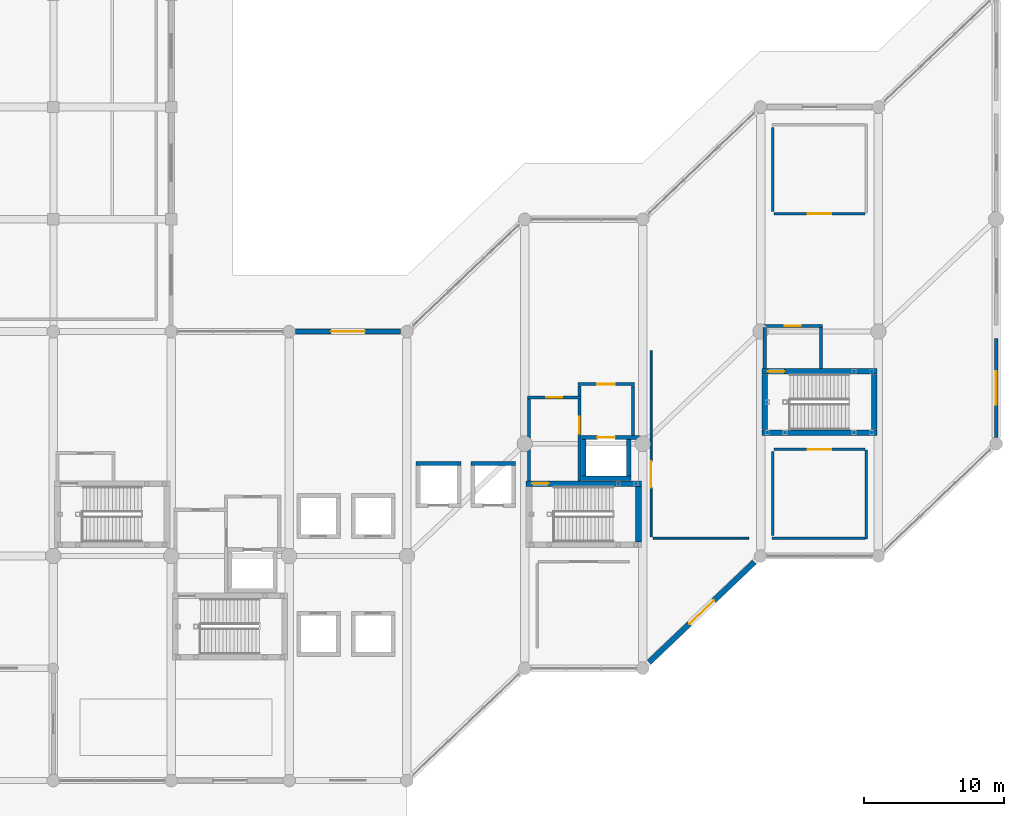
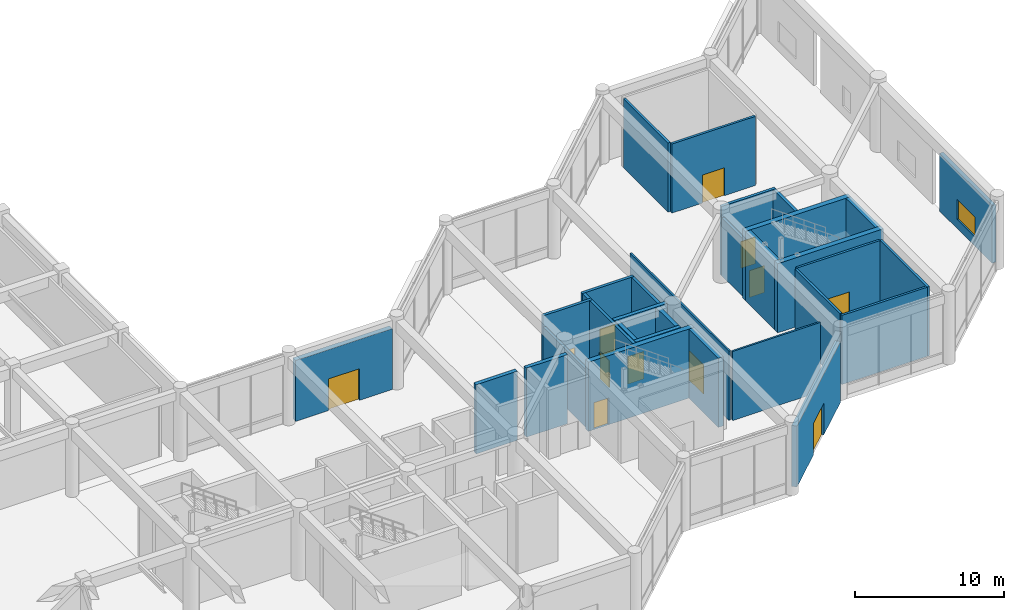
# One storey, part 59 of 76: 32 walls, 12 doors, 1 window, 13 openings.
"""IFC4 building model written with IfcOpenShell, lengths in metres."""

from ifc_helpers import new_model, si_unit, direction, frame, frame_2d, origin, place, context, subcontext, project, spatial, rectangle, extrude, material, layer, layer_set, type_object, element, fill, save


model = new_model("IFC4")

# Units and contexts
model_context = context("Model", 3, precision=1e-05, world=origin(), true_north=direction((0.0, 1.0)))
body_context = subcontext(model_context, "Body", "Model", "MODEL_VIEW")
ifc_project = project(units=[si_unit("LENGTHUNIT", "METRE"), si_unit("AREAUNIT", "SQUARE_METRE"), si_unit("VOLUMEUNIT", "CUBIC_METRE"), si_unit("PLANEANGLEUNIT", "RADIAN"), si_unit("MASSUNIT", "GRAM", prefix="KILO")], contexts=[model_context])

# Site, building, storey
site_placement = place(None, origin())
site = spatial("IfcSite", under=ifc_project, at=site_placement, CompositionType="ELEMENT")
building_placement = place(site_placement, origin())
building = spatial("IfcBuilding", under=site, at=building_placement, Name="Naruveol Harbour Congress Hotel", CompositionType="ELEMENT")
storey_placement = place(building_placement, origin())
storey = spatial("IfcBuildingStorey", under=building, at=storey_placement, Name="L00", CompositionType="ELEMENT", Elevation=0.0)

# Wall, opening, door
ifc_material_1 = material(Name="Autoclaved Aerated Concrete Block", Category="concrete")
ifc_layer_1 = layer(ifc_material_1, 0.179931640625)
ifc_layer_set_1 = layer_set([ifc_layer_1], Name="Autoclaved Aerated Concrete Block")
wall_type_1 = type_object("IfcWallType", Name="ACOUSTIC HALL PARTITION WALL 180 EI60", PredefinedType="PARTITIONING", material=ifc_layer_set_1)
wall_1_placement = place(storey_placement, frame((168.9599609375, 23.60009765625, 0.0), z_axis=(0.0, 0.0, 1.0), x_axis=(1.0, 0.0, 0.0)))
wall_1 = element("IfcWall", 1, at=wall_1_placement, inside=storey, type_object=wall_type_1, Name="Hotel Concierge and Luggage Suite north entry wall PW-180", PredefinedType="PARTITIONING", context=body_context, shape_type="SweptSolid", body=[
    extrude(rectangle(XDim=6.47998046875, YDim=0.179931640625, at=frame_2d((3.239990234375, 0.0))), origin(), (0.0, 0.0, 1.0), 5.675048828125),
])
opening_1_placement = place(wall_1_placement, frame((2.389892578125, 0.0, 0.0)))
opening_1 = element("IfcOpeningElement", 2, at=opening_1_placement, cuts=wall_1, Name="Opening ID-MT-33", PredefinedType="OPENING", context=body_context, shape_type="SweptSolid", body=[
    extrude(rectangle(XDim=1.699951171875, YDim=2.300048828125, at=frame_2d((0.85009765625, 1.14990234375))), frame((0.0, 0.099853515625, 0.0), z_axis=(0.0, -1.0, 0.0), x_axis=(1.0, 0.0, 0.0)), (0.0, 0.0, 1.0), 0.199951171875),
])
ifc_material_2 = material(Name="Timber & Steel Acoustic Leaf", Category="steel")
door_type_1 = type_object("IfcDoorType", Name="MEETING SALON DOUBLE DOOR 1700X2300", OperationType="DOUBLE_DOOR_SINGLE_SWING", PredefinedType="DOOR", material=ifc_material_2)
door_1_placement = place(opening_1_placement, origin())
door_1 = element("IfcDoor", 3, at=door_1_placement, inside=storey, type_object=door_type_1, Name="Hotel Concierge and Luggage Suite Entrance Door", OperationType="DOUBLE_DOOR_SINGLE_SWING", OverallHeight=2.300048828125, OverallWidth=1.699951171875, PredefinedType="DOOR", context=body_context, shape_type="SweptSolid", body=[
    extrude(rectangle(XDim=1.699951171875, YDim=2.300048828125, at=frame_2d((0.85009765625, 1.14990234375))), frame((0.0, 0.02490234375, 0.0), z_axis=(0.0, -1.0, 0.0), x_axis=(1.0, 0.0, 0.0)), (0.0, 0.0, 1.0), 0.050048828125),
])
fill(opening_1, door_1)

# Wall
wall_2_placement = place(storey_placement, frame((168.8798828125, 17.449951171875, 0.0), z_axis=(0.0, 0.0, 1.0), x_axis=(0.0, 1.0, 0.0)))
element("IfcWall", 4, at=wall_2_placement, inside=storey, type_object=wall_type_1, Name="Hotel Concierge and Luggage Suite west partition PW-180", PredefinedType="PARTITIONING", context=body_context, shape_type="SweptSolid", body=[
    extrude(rectangle(XDim=6.010009765625, YDim=0.179931640625, at=frame_2d((3.0048828125, 0.0))), origin(), (0.0, 0.0, 1.0), 5.675048828125),
])

# Wall, opening, door
wall_3_placement = place(storey_placement, frame((168.9599609375, 40.39990234375, 0.0), z_axis=(0.0, 0.0, 1.0), x_axis=(1.0, 0.0, 0.0)))
wall_3 = element("IfcWall", 5, at=wall_3_placement, inside=storey, type_object=wall_type_1, Name="Hotel Administration Office south entry wall PW-180", PredefinedType="PARTITIONING", context=body_context, shape_type="SweptSolid", body=[
    extrude(rectangle(XDim=6.47998046875, YDim=0.179931640625, at=frame_2d((3.239990234375, 0.0))), origin(), (0.0, 0.0, 1.0), 5.675048828125),
])
opening_2_placement = place(wall_3_placement, frame((2.389892578125, 0.0, 0.0)))
opening_2 = element("IfcOpeningElement", 6, at=opening_2_placement, cuts=wall_3, Name="Opening ID-MT-34", PredefinedType="OPENING", context=body_context, shape_type="SweptSolid", body=[
    extrude(rectangle(XDim=1.699951171875, YDim=2.300048828125, at=frame_2d((0.85009765625, 1.14990234375))), frame((0.0, 0.099853515625, 0.0), z_axis=(0.0, -1.0, 0.0), x_axis=(1.0, 0.0, 0.0)), (0.0, 0.0, 1.0), 0.199951171875),
])
door_2_placement = place(opening_2_placement, origin())
door_2 = element("IfcDoor", 7, at=door_2_placement, inside=storey, type_object=door_type_1, Name="Hotel Administration Office Entrance Door", OperationType="DOUBLE_DOOR_SINGLE_SWING", OverallHeight=2.300048828125, OverallWidth=1.699951171875, PredefinedType="DOOR", context=body_context, shape_type="SweptSolid", body=[
    extrude(rectangle(XDim=1.699951171875, YDim=2.300048828125, at=frame_2d((0.85009765625, 1.14990234375))), frame((0.0, 0.02490234375, 0.0), z_axis=(0.0, -1.0, 0.0), x_axis=(1.0, 0.0, 0.0)), (0.0, 0.0, 1.0), 0.050048828125),
])
fill(opening_2, door_2)

# Walls
wall_4_placement = place(storey_placement, frame((168.8798828125, 40.5400390625, 0.0), z_axis=(0.0, 0.0, 1.0), x_axis=(0.0, 1.0, 0.0)))
element("IfcWall", 8, at=wall_4_placement, inside=storey, type_object=wall_type_1, Name="Hotel Administration Office west partition PW-180", PredefinedType="PARTITIONING", context=body_context, shape_type="SweptSolid", body=[
    extrude(rectangle(XDim=6.010009765625, YDim=0.179931640625, at=frame_2d((3.0048828125, 0.0))), origin(), (0.0, 0.0, 1.0), 5.675048828125),
])
wall_5_placement = place(storey_placement, frame((175.52001953125, 17.199951171875, 0.0), z_axis=(0.0, 0.0, 1.0), x_axis=(0.0, 1.0, 0.0)))
element("IfcWall", 9, at=wall_5_placement, inside=storey, type_object=wall_type_1, Name="Hotel Concierge and Luggage Suite east enclosure partition PW-180", PredefinedType="PARTITIONING", context=body_context, shape_type="SweptSolid", body=[
    extrude(rectangle(XDim=6.3681640625, YDim=0.179931640625, at=frame_2d((3.18408203125, 0.0))), origin(), (0.0, 0.0, 1.0), 5.675048828125),
])
wall_6_placement = place(storey_placement, frame((168.800048828125, 17.280029296875, 0.0), z_axis=(0.0, 0.0, 1.0), x_axis=(1.0, 0.0, 0.0)))
element("IfcWall", 10, at=wall_6_placement, inside=storey, type_object=wall_type_1, Name="Hotel Concierge and Luggage Suite south enclosure partition PW-180", PredefinedType="PARTITIONING", context=body_context, shape_type="SweptSolid", body=[
    extrude(rectangle(XDim=6.6298828125, YDim=0.179931640625, at=frame_2d((3.31494140625, 0.0))), origin(), (0.0, 0.0, 1.0), 5.675048828125),
])

# Wall, opening, door
ifc_material_3 = material(Name="Acoustic Double Stud Gypsum", Category="gypsum")
ifc_layer_2 = layer(ifc_material_3, 0.139892578125)
ifc_layer_set_2 = layer_set([ifc_layer_2], Name="Acoustic Double Stud Gypsum")
wall_type_2 = type_object("IfcWallType", Name="ACOUSTIC MEETING PARTITION WALL 140", PredefinedType="PARTITIONING", material=ifc_layer_set_2)
wall_7_placement = place(storey_placement, frame((160.199951171875, 17.360107421875, 0.0), z_axis=(0.0, 0.0, 1.0), x_axis=(0.0, 1.0, 0.0)))
wall_7 = element("IfcWall", 11, at=wall_7_placement, inside=storey, type_object=wall_type_2, Name="Hotel Boutique and Travel Gallery west entry wall PW-140", PredefinedType="PARTITIONING", context=body_context, shape_type="SweptSolid", body=[
    extrude(rectangle(XDim=13.27978515625, YDim=0.139892578125, at=frame_2d((6.639892578125, 0.0))), origin(), (0.0, 0.0, 1.0), 5.675048828125),
])
opening_3_placement = place(wall_7_placement, frame((3.510009765625, 0.0, 0.0)))
opening_3 = element("IfcOpeningElement", 12, at=opening_3_placement, cuts=wall_7, Name="Opening ID-LG-32", PredefinedType="OPENING", context=body_context, shape_type="SweptSolid", body=[
    extrude(rectangle(XDim=1.89990234375, YDim=2.39990234375, at=frame_2d((0.949951171875, 1.199951171875))), frame((0.0, 0.079833984375, 0.0), z_axis=(0.0, -1.0, 0.0), x_axis=(1.0, 0.0, 0.0)), (0.0, 0.0, 1.0), 0.159912109375),
])
ifc_material_4 = material(Name="Timber & Steel Acoustic Leaf", Category="steel")
door_type_2 = type_object("IfcDoorType", Name="RESTAURANT AND LOUNGE GLAZED DOOR 1900X2400", OperationType="DOUBLE_DOOR_SINGLE_SWING", PredefinedType="DOOR", material=ifc_material_4)
door_3_placement = place(opening_3_placement, origin())
door_3 = element("IfcDoor", 13, at=door_3_placement, inside=storey, type_object=door_type_2, Name="Hotel Boutique and Travel Gallery Entrance Door", OperationType="DOUBLE_DOOR_SINGLE_SWING", OverallHeight=2.39990234375, OverallWidth=1.89990234375, PredefinedType="DOOR", context=body_context, shape_type="SweptSolid", body=[
    extrude(rectangle(XDim=1.89990234375, YDim=2.39990234375, at=frame_2d((0.949951171875, 1.199951171875))), frame((0.0, 0.02490234375, 0.0), z_axis=(0.0, -1.0, 0.0), x_axis=(1.0, 0.0, 0.0)), (0.0, 0.0, 1.0), 0.050048828125),
])
fill(opening_3, door_3)

# Wall
wall_8_placement = place(storey_placement, frame((160.340087890625, 17.280029296875, 0.0), z_axis=(0.0, 0.0, 1.0), x_axis=(1.0, 0.0, 0.0)))
element("IfcWall", 14, at=wall_8_placement, inside=storey, type_object=wall_type_2, Name="Hotel Boutique and Travel Gallery south partition PW-140", PredefinedType="PARTITIONING", context=body_context, shape_type="SweptSolid", body=[
    extrude(rectangle(XDim=6.809814453125, YDim=0.139892578125, at=frame_2d((3.40478515625, 0.0))), origin(), (0.0, 0.0, 1.0), 5.675048828125),
])

# Wall, opening, window
ifc_material_5 = material(Name="Precast concrete C40/50", Category="concrete")
ifc_layer_3 = layer(ifc_material_5, 0.280029296875)
ifc_layer_set_3 = layer_set([ifc_layer_3], Name="Precast concrete C40/50")
wall_type_3 = type_object("IfcWallType", Name="ARCHITECTURAL PRECAST FACADE WALL 280", PredefinedType="SOLIDWALL", material=ifc_layer_set_3)
wall_9_placement = place(storey_placement, frame((184.800048828125, 31.52001953125, 0.0), z_axis=(0.0, 0.0, 1.0), x_axis=(0.0, -1.0, 0.0)))
wall_9 = element("IfcWall", 15, at=wall_9_placement, inside=storey, type_object=wall_type_3, Name="Hotel east gable wall L00 EW-280", PredefinedType="SOLIDWALL", context=body_context, shape_type="SweptSolid", body=[
    extrude(rectangle(XDim=7.070068359375, YDim=0.280029296875, at=frame_2d((3.53515625, 0.0))), origin(), (0.0, 0.0, 1.0), 4.75),
])
opening_4_placement = place(wall_9_placement, frame((2.3349609375, 0.0, 0.75)))
opening_4 = element("IfcOpeningElement", 16, at=opening_4_placement, cuts=wall_9, Name="Opening W-07", PredefinedType="OPENING", context=body_context, shape_type="SweptSolid", body=[
    extrude(rectangle(XDim=2.39990234375, YDim=1.64990234375, at=frame_2d((1.199951171875, 0.824951171875))), frame((0.0, 0.14990234375, 0.0), z_axis=(0.0, -1.0, 0.0), x_axis=(1.0, 0.0, 0.0)), (0.0, 0.0, 1.0), 0.300048828125),
])
ifc_material_6 = material(Name="Low-E Triple Glazing in Thermal Aluminium", Category="aluminium")
window_type = type_object("IfcWindowType", Name="CORNER SUITE WINDOW 2400X1650", PartitioningType="DOUBLE_PANEL_VERTICAL", PredefinedType="WINDOW", material=ifc_material_6)
window_placement = place(opening_4_placement, origin())
window = element("IfcWindow", 17, at=window_placement, inside=storey, type_object=window_type, Name="Window W-07 #177", OverallHeight=1.64990234375, OverallWidth=2.39990234375, PartitioningType="DOUBLE_PANEL_VERTICAL", PredefinedType="WINDOW", context=body_context, shape_type="SweptSolid", body=[
    extrude(rectangle(XDim=2.39990234375, YDim=1.64990234375, at=frame_2d((1.199951171875, 0.824951171875))), frame((0.0, 0.030029296875, 0.0), z_axis=(0.0, -1.0, 0.0), x_axis=(1.0, 0.0, 0.0)), (0.0, 0.0, 1.0), 0.06005859375),
])
fill(opening_4, window)

# Wall
ifc_material_7 = material(Name="Concrete C40/50", Category="concrete")
ifc_layer_4 = layer(ifc_material_7, 0.219970703125)
ifc_layer_set_4 = layer_set([ifc_layer_4], Name="Concrete C40/50")
wall_type_4 = type_object("IfcWallType", Name="FIRE COMPARTMENT AND LOBBY WALL 220 EI120", PredefinedType="PARTITIONING", material=ifc_layer_set_4)
wall_10_placement = place(storey_placement, frame((151.5, 21.364990234375, 0.0), z_axis=(0.0, 0.0, 1.0), x_axis=(0.0, 1.0, 0.0)))
element("IfcWall", 18, at=wall_10_placement, inside=storey, type_object=wall_type_4, Name="Smoke vestibule ST2 west wall FW-220", PredefinedType="PARTITIONING", context=body_context, shape_type="SweptSolid", body=[
    extrude(rectangle(XDim=5.820068359375, YDim=0.219970703125, at=frame_2d((2.91015625, 0.0))), origin(), (0.0, 0.0, 1.0), 4.75),
])

# Wall, opening, door
wall_11_placement = place(storey_placement, frame((151.389892578125, 27.300048828125, 0.0), z_axis=(0.0, 0.0, 1.0), x_axis=(1.0, 0.0, 0.0)))
wall_11 = element("IfcWall", 19, at=wall_11_placement, inside=storey, type_object=wall_type_4, Name="Smoke vestibule ST2 north wall FW-220", PredefinedType="PARTITIONING", context=body_context, shape_type="SweptSolid", body=[
    extrude(rectangle(XDim=3.820068359375, YDim=0.219970703125, at=frame_2d((1.91015625, 0.0))), origin(), (0.0, 0.0, 1.0), 5.675048828125),
])
opening_5_placement = place(wall_11_placement, frame((1.35009765625, 0.0, 0.0)))
opening_5 = element("IfcOpeningElement", 20, at=opening_5_placement, cuts=wall_11, Name="Opening FD-ST2-V-L00", PredefinedType="OPENING", context=body_context, shape_type="SweptSolid", body=[
    extrude(rectangle(XDim=1.1201171875, YDim=2.199951171875, at=frame_2d((0.56005859375, 1.10009765625))), frame((0.0, 0.119873046875, 0.0), z_axis=(0.0, -1.0, 0.0), x_axis=(1.0, 0.0, 0.0)), (0.0, 0.0, 1.0), 0.239990234375),
])
ifc_material_8 = material(Name="Timber & Steel Acoustic Leaf", Category="steel")
door_type_3 = type_object("IfcDoorType", Name="VESTIBULE SMOKE CONTROL FIRE DOOR 1120X2200", OperationType="NOTDEFINED", PredefinedType="DOOR", material=ifc_material_8)
door_4_placement = place(opening_5_placement, origin())
door_4 = element("IfcDoor", 21, at=door_4_placement, inside=storey, type_object=door_type_3, Name="Smoke Vestibule Entry Door ST2 L00", OperationType="SINGLE_SWING_LEFT", OverallHeight=2.199951171875, OverallWidth=1.1201171875, PredefinedType="DOOR", context=body_context, shape_type="SweptSolid", body=[
    extrude(rectangle(XDim=1.1201171875, YDim=2.199951171875, at=frame_2d((0.56005859375, 1.10009765625))), frame((0.0, 0.02490234375, 0.0), z_axis=(0.0, -1.0, 0.0), x_axis=(1.0, 0.0, 0.0)), (0.0, 0.0, 1.0), 0.050048828125),
])
fill(opening_5, door_4)

wall_12_placement = place(storey_placement, frame((155.10009765625, 21.364990234375, 0.0), z_axis=(0.0, 0.0, 1.0), x_axis=(0.0, 1.0, 0.0)))
wall_12 = element("IfcWall", 22, at=wall_12_placement, inside=storey, type_object=wall_type_4, Name="Smoke vestibule ST2 east wall FW-220", PredefinedType="PARTITIONING", context=body_context, shape_type="SweptSolid", body=[
    extrude(rectangle(XDim=5.820068359375, YDim=0.219970703125, at=frame_2d((2.91015625, 0.0))), origin(), (0.0, 0.0, 1.0), 5.675048828125),
])
opening_6_placement = place(wall_12_placement, frame((3.3349609375, 0.0, 0.0)))
opening_6 = element("IfcOpeningElement", 23, at=opening_6_placement, cuts=wall_12, Name="Opening FD-FFL-ST2-L00", PredefinedType="OPENING", context=body_context, shape_type="SweptSolid", body=[
    extrude(rectangle(XDim=1.239990234375, YDim=2.199951171875, at=frame_2d((0.6201171875, 1.10009765625))), frame((0.0, 0.119873046875, 0.0), z_axis=(0.0, -1.0, 0.0), x_axis=(1.0, 0.0, 0.0)), (0.0, 0.0, 1.0), 0.239990234375),
])
ifc_material_9 = material(Name="Timber & Steel Acoustic Leaf", Category="steel")
door_type_4 = type_object("IfcDoorType", Name="FIREFIGHTING LOBBY FIRE DOOR 1240X2200", OperationType="NOTDEFINED", PredefinedType="DOOR", material=ifc_material_9)
door_5_placement = place(opening_6_placement, origin())
door_5 = element("IfcDoor", 24, at=door_5_placement, inside=storey, type_object=door_type_4, Name="Firefighting Lobby Vestibule Door ST2 L00", OperationType="SINGLE_SWING_RIGHT", OverallHeight=2.199951171875, OverallWidth=1.239990234375, PredefinedType="DOOR", context=body_context, shape_type="SweptSolid", body=[
    extrude(rectangle(XDim=1.239990234375, YDim=2.199951171875, at=frame_2d((0.6201171875, 1.10009765625))), frame((0.0, 0.02490234375, 0.0), z_axis=(0.0, -1.0, 0.0), x_axis=(1.0, 0.0, 0.0)), (0.0, 0.0, 1.0), 0.050048828125),
])
fill(opening_6, door_5)

# Walls
wall_13_placement = place(storey_placement, frame((155.10009765625, 27.4150390625, 0.0), z_axis=(0.0, 0.0, 1.0), x_axis=(0.0, 1.0, 0.0)))
element("IfcWall", 25, at=wall_13_placement, inside=storey, type_object=wall_type_4, Name="Firefighting lift lobby ST2 upper west wall FW-220", PredefinedType="PARTITIONING", context=body_context, shape_type="SweptSolid", body=[
    extrude(rectangle(XDim=0.719970703125, YDim=0.219970703125, at=frame_2d((0.35986328125, 0.0))), origin(), (0.0, 0.0, 1.0), 5.675048828125),
])
wall_14_placement = place(storey_placement, frame((158.89990234375, 24.60498046875, 0.0), z_axis=(0.0, 0.0, 1.0), x_axis=(0.0, 1.0, 0.0)))
element("IfcWall", 26, at=wall_14_placement, inside=storey, type_object=wall_type_4, Name="Firefighting lift lobby ST2 east wall FW-220", PredefinedType="PARTITIONING", context=body_context, shape_type="SweptSolid", body=[
    extrude(rectangle(XDim=3.530029296875, YDim=0.219970703125, at=frame_2d((1.76513671875, 0.0))), origin(), (0.0, 0.0, 1.0), 5.675048828125),
])

# Wall, opening, door
wall_15_placement = place(storey_placement, frame((154.989990234375, 28.25, 0.0), z_axis=(0.0, 0.0, 1.0), x_axis=(1.0, 0.0, 0.0)))
wall_15 = element("IfcWall", 27, at=wall_15_placement, inside=storey, type_object=wall_type_4, Name="Firefighting lift lobby ST2 north wall FW-220", PredefinedType="PARTITIONING", context=body_context, shape_type="SweptSolid", body=[
    extrude(rectangle(XDim=4.02001953125, YDim=0.219970703125, at=frame_2d((2.010009765625, 0.0))), origin(), (0.0, 0.0, 1.0), 5.675048828125),
])
opening_7_placement = place(wall_15_placement, frame((1.389892578125, 0.0, 0.0)))
opening_7 = element("IfcOpeningElement", 28, at=opening_7_placement, cuts=wall_15, Name="Opening FD-FFC-ST2-L00", PredefinedType="OPENING", context=body_context, shape_type="SweptSolid", body=[
    extrude(rectangle(XDim=1.239990234375, YDim=2.199951171875, at=frame_2d((0.6201171875, 1.10009765625))), frame((0.0, 0.119873046875, 0.0), z_axis=(0.0, -1.0, 0.0), x_axis=(1.0, 0.0, 0.0)), (0.0, 0.0, 1.0), 0.239990234375),
])
door_6_placement = place(opening_7_placement, origin())
door_6 = element("IfcDoor", 29, at=door_6_placement, inside=storey, type_object=door_type_4, Name="Firefighting Lobby Corridor Door ST2 L00", OperationType="SINGLE_SWING_LEFT", OverallHeight=2.199951171875, OverallWidth=1.239990234375, PredefinedType="DOOR", context=body_context, shape_type="SweptSolid", body=[
    extrude(rectangle(XDim=1.239990234375, YDim=2.199951171875, at=frame_2d((0.6201171875, 1.10009765625))), frame((0.0, 0.02490234375, 0.0), z_axis=(0.0, -1.0, 0.0), x_axis=(1.0, 0.0, 0.0)), (0.0, 0.0, 1.0), 0.050048828125),
])
fill(opening_7, door_6)

# Wall
wall_16_placement = place(storey_placement, frame((168.300048828125, 29.364990234375, 0.0), z_axis=(0.0, 0.0, 1.0), x_axis=(0.0, 1.0, 0.0)))
element("IfcWall", 30, at=wall_16_placement, inside=storey, type_object=wall_type_4, Name="Smoke vestibule ST4 west wall FW-220", PredefinedType="PARTITIONING", context=body_context, shape_type="SweptSolid", body=[
    extrude(rectangle(XDim=2.919921875, YDim=0.219970703125, at=frame_2d((1.4599609375, 0.0))), origin(), (0.0, 0.0, 1.0), 4.75),
])

# Wall, opening, door
wall_17_placement = place(storey_placement, frame((168.18994140625, 32.39990234375, 0.0), z_axis=(0.0, 0.0, 1.0), x_axis=(1.0, 0.0, 0.0)))
wall_17 = element("IfcWall", 31, at=wall_17_placement, inside=storey, type_object=wall_type_4, Name="Smoke vestibule ST4 north wall FW-220", PredefinedType="PARTITIONING", context=body_context, shape_type="SweptSolid", body=[
    extrude(rectangle(XDim=4.219970703125, YDim=0.219970703125, at=frame_2d((2.10986328125, 0.0))), origin(), (0.0, 0.0, 1.0), 5.675048828125),
])
opening_8_placement = place(wall_17_placement, frame((1.550048828125, 0.0, 0.0)))
opening_8 = element("IfcOpeningElement", 32, at=opening_8_placement, cuts=wall_17, Name="Opening FD-ST4-V-L00", PredefinedType="OPENING", context=body_context, shape_type="SweptSolid", body=[
    extrude(rectangle(XDim=1.1201171875, YDim=2.199951171875, at=frame_2d((0.56005859375, 1.10009765625))), frame((0.0, 0.119873046875, 0.0), z_axis=(0.0, -1.0, 0.0), x_axis=(1.0, 0.0, 0.0)), (0.0, 0.0, 1.0), 0.239990234375),
])
door_7_placement = place(opening_8_placement, origin())
door_7 = element("IfcDoor", 33, at=door_7_placement, inside=storey, type_object=door_type_3, Name="Smoke Vestibule Entry Door ST4 L00", OperationType="SINGLE_SWING_LEFT", OverallHeight=2.199951171875, OverallWidth=1.1201171875, PredefinedType="DOOR", context=body_context, shape_type="SweptSolid", body=[
    extrude(rectangle(XDim=1.1201171875, YDim=2.199951171875, at=frame_2d((0.56005859375, 1.10009765625))), frame((0.0, 0.02490234375, 0.0), z_axis=(0.0, -1.0, 0.0), x_axis=(1.0, 0.0, 0.0)), (0.0, 0.0, 1.0), 0.050048828125),
])
fill(opening_8, door_7)

# Wall
wall_18_placement = place(storey_placement, frame((172.300048828125, 29.364990234375, 0.0), z_axis=(0.0, 0.0, 1.0), x_axis=(0.0, 1.0, 0.0)))
element("IfcWall", 34, at=wall_18_placement, inside=storey, type_object=wall_type_4, Name="Smoke vestibule ST4 east wall FW-220", PredefinedType="PARTITIONING", context=body_context, shape_type="SweptSolid", body=[
    extrude(rectangle(XDim=2.919921875, YDim=0.219970703125, at=frame_2d((1.4599609375, 0.0))), origin(), (0.0, 0.0, 1.0), 5.675048828125),
])

# Wall, opening, door
ifc_material_10 = material(Name="Concrete C40/50", Category="concrete")
ifc_layer_5 = layer(ifc_material_10, 0.3798828125)
ifc_layer_set_5 = layer_set([ifc_layer_5], Name="Concrete C40/50")
wall_type_5 = type_object("IfcWallType", Name="INSULATED GRANITE FACADE WALL 380", PredefinedType="SOLIDWALL", material=ifc_layer_set_5)
wall_19_placement = place(storey_placement, frame((134.85009765625, 32.0, 0.0), z_axis=(0.0, 0.0, 1.0), x_axis=(1.0, 0.0, 0.0)))
wall_19 = element("IfcWall", 35, at=wall_19_placement, inside=storey, type_object=wall_type_5, Name="Hotel north garden exit bay EW-380", PredefinedType="SOLIDWALL", context=body_context, shape_type="SweptSolid", body=[
    extrude(rectangle(XDim=7.5, YDim=0.3798828125, at=frame_2d((3.75, 0.0))), origin(), (0.0, 0.0, 1.0), 5.0),
])
opening_9_placement = place(wall_19_placement, frame((2.550048828125, 0.0, 0.0)))
opening_9 = element("IfcOpeningElement", 36, at=opening_9_placement, cuts=wall_19, Name="Opening E14", PredefinedType="OPENING", context=body_context, shape_type="SweptSolid", body=[
    extrude(rectangle(XDim=2.39990234375, YDim=2.60009765625, at=frame_2d((1.199951171875, 1.300048828125))), frame((0.0, 0.199951171875, 0.0), z_axis=(0.0, -1.0, 0.0), x_axis=(1.0, 0.0, 0.0)), (0.0, 0.0, 1.0), 0.39990234375),
])
ifc_material_11 = material(Name="Powder-Coated Steel & Insulated Glazing", Category="steel")
door_type_5 = type_object("IfcDoorType", Name="FINAL EXIT DOUBLE DOOR 2400X2600", OperationType="DOUBLE_DOOR_SINGLE_SWING", PredefinedType="DOOR", material=ifc_material_11)
door_8_placement = place(opening_9_placement, origin())
door_8 = element("IfcDoor", 37, at=door_8_placement, inside=storey, type_object=door_type_5, Name="Final Exit Door E14", OperationType="DOUBLE_DOOR_SINGLE_SWING", OverallHeight=2.60009765625, OverallWidth=2.39990234375, PredefinedType="DOOR", context=body_context, shape_type="SweptSolid", body=[
    extrude(rectangle(XDim=2.39990234375, YDim=2.60009765625, at=frame_2d((1.199951171875, 1.300048828125))), frame((0.0, 0.02490234375, 0.0), z_axis=(0.0, -1.0, 0.0), x_axis=(1.0, 0.0, 0.0)), (0.0, 0.0, 1.0), 0.050048828125),
])
fill(opening_9, door_8)

wall_20_placement = place(storey_placement, frame((167.550048828125, 15.571044921875, 0.0), z_axis=(0.0, 0.0, 1.0), x_axis=(-0.724174929863, -0.689616321557, 0.0)))
wall_20 = element("IfcWall", 38, at=wall_20_placement, inside=storey, type_object=wall_type_5, Name="Hotel waterfront exit bay EW-380", PredefinedType="SOLIDWALL", context=body_context, shape_type="SweptSolid", body=[
    extrude(rectangle(XDim=10.356689453125, YDim=0.3798828125, at=frame_2d((5.17822265625, 0.0))), origin(), (0.0, 0.0, 1.0), 5.0),
])
opening_10_placement = place(wall_20_placement, frame((3.97802734375, 0.0, 0.0)))
opening_10 = element("IfcOpeningElement", 39, at=opening_10_placement, cuts=wall_20, Name="Opening E15", PredefinedType="OPENING", context=body_context, shape_type="SweptSolid", body=[
    extrude(rectangle(XDim=2.39990234375, YDim=2.60009765625, at=frame_2d((1.199951171875, 1.300048828125))), frame((0.0, 0.199951171875, 0.0), z_axis=(0.0, -1.0, 0.0), x_axis=(1.0, 0.0, 0.0)), (0.0, 0.0, 1.0), 0.39990234375),
])
door_9_placement = place(opening_10_placement, origin())
door_9 = element("IfcDoor", 40, at=door_9_placement, inside=storey, type_object=door_type_5, Name="Final Exit Door E15", OperationType="DOUBLE_DOOR_SINGLE_SWING", OverallHeight=2.60009765625, OverallWidth=2.39990234375, PredefinedType="DOOR", context=body_context, shape_type="SweptSolid", body=[
    extrude(rectangle(XDim=2.39990234375, YDim=2.60009765625, at=frame_2d((1.199951171875, 1.300048828125))), frame((0.0, 0.02490234375, 0.0), z_axis=(0.0, -1.0, 0.0), x_axis=(1.0, 0.0, 0.0)), (0.0, 0.0, 1.0), 0.050048828125),
])
fill(opening_10, door_9)

# Wall
ifc_material_12 = material(Name="Concrete C50/60", Category="concrete")
ifc_layer_6 = layer(ifc_material_12, 0.39990234375)
ifc_layer_set_6 = layer_set([ifc_layer_6], Name="Concrete C50/60")
wall_type_6 = type_object("IfcWallType", Name="RC CORE SHEAR WALL 400 EI120", PredefinedType="SHEAR", material=ifc_layer_set_6)
wall_21_placement = place(storey_placement, frame((159.300048828125, 17.0048828125, 0.0), z_axis=(0.0, 0.0, 1.0), x_axis=(0.0, 1.0, 0.0)))
element("IfcWall", 41, at=wall_21_placement, inside=storey, type_object=wall_type_6, Name="Stair ST2 east core wall CW-400", PredefinedType="SHEAR", context=body_context, shape_type="SweptSolid", body=[
    extrude(rectangle(XDim=3.9501953125, YDim=0.39990234375, at=frame_2d((1.97509765625, 0.0))), origin(), (0.0, 0.0, 1.0), 5.675048828125),
])

# Wall, opening, door
wall_22_placement = place(storey_placement, frame((151.300048828125, 21.159912109375, 0.0), z_axis=(0.0, 0.0, 1.0), x_axis=(1.0, 0.0, 0.0)))
wall_22 = element("IfcWall", 42, at=wall_22_placement, inside=storey, type_object=wall_type_6, Name="Stair ST2 north core wall CW-400", PredefinedType="SHEAR", context=body_context, shape_type="SweptSolid", body=[
    extrude(rectangle(XDim=8.199951171875, YDim=0.39990234375, at=frame_2d((4.10009765625, 0.0))), origin(), (0.0, 0.0, 1.0), 5.675048828125),
])
opening_11_placement = place(wall_22_placement, frame((0.429931640625, 0.0, 0.0)))
opening_11 = element("IfcOpeningElement", 43, at=opening_11_placement, cuts=wall_22, Name="Opening FD-ST2-S-L00", PredefinedType="OPENING", context=body_context, shape_type="SweptSolid", body=[
    extrude(rectangle(XDim=1.159912109375, YDim=2.199951171875, at=frame_2d((0.580078125, 1.10009765625))), frame((0.0, 0.2099609375, 0.0), z_axis=(0.0, -1.0, 0.0), x_axis=(1.0, 0.0, 0.0)), (0.0, 0.0, 1.0), 0.419921875),
])
ifc_material_13 = material(Name="Timber & Steel Acoustic Leaf", Category="steel")
door_type_6 = type_object("IfcDoorType", Name="SPECIAL ESCAPE STAIR FIRE DOOR 1160X2200", OperationType="NOTDEFINED", PredefinedType="DOOR", material=ifc_material_13)
door_10_placement = place(opening_11_placement, origin())
door_10 = element("IfcDoor", 44, at=door_10_placement, inside=storey, type_object=door_type_6, Name="Special Escape Stair Door ST2 L00", OperationType="SINGLE_SWING_RIGHT", OverallHeight=2.199951171875, OverallWidth=1.159912109375, PredefinedType="DOOR", context=body_context, shape_type="SweptSolid", body=[
    extrude(rectangle(XDim=1.159912109375, YDim=2.199951171875, at=frame_2d((0.580078125, 1.10009765625))), frame((0.0, 0.02490234375, 0.0), z_axis=(0.0, -1.0, 0.0), x_axis=(1.0, 0.0, 0.0)), (0.0, 0.0, 1.0), 0.050048828125),
])
fill(opening_11, door_10)

# Walls
wall_23_placement = place(storey_placement, frame((168.10009765625, 24.800048828125, 0.0), z_axis=(0.0, 0.0, 1.0), x_axis=(1.0, 0.0, 0.0)))
element("IfcWall", 45, at=wall_23_placement, inside=storey, type_object=wall_type_6, Name="Stair ST4 south core wall CW-400", PredefinedType="SHEAR", context=body_context, shape_type="SweptSolid", body=[
    extrude(rectangle(XDim=8.199951171875, YDim=0.39990234375, at=frame_2d((4.10009765625, 0.0))), origin(), (0.0, 0.0, 1.0), 5.675048828125),
])
wall_24_placement = place(storey_placement, frame((176.10009765625, 25.0048828125, 0.0), z_axis=(0.0, 0.0, 1.0), x_axis=(0.0, 1.0, 0.0)))
element("IfcWall", 46, at=wall_24_placement, inside=storey, type_object=wall_type_6, Name="Stair ST4 east core wall CW-400", PredefinedType="SHEAR", context=body_context, shape_type="SweptSolid", body=[
    extrude(rectangle(XDim=3.9501953125, YDim=0.39990234375, at=frame_2d((1.97509765625, 0.0))), origin(), (0.0, 0.0, 1.0), 5.675048828125),
])

# Wall, opening, door
wall_25_placement = place(storey_placement, frame((168.10009765625, 29.159912109375, 0.0), z_axis=(0.0, 0.0, 1.0), x_axis=(1.0, 0.0, 0.0)))
wall_25 = element("IfcWall", 47, at=wall_25_placement, inside=storey, type_object=wall_type_6, Name="Stair ST4 north core wall CW-400", PredefinedType="SHEAR", context=body_context, shape_type="SweptSolid", body=[
    extrude(rectangle(XDim=8.199951171875, YDim=0.39990234375, at=frame_2d((4.10009765625, 0.0))), origin(), (0.0, 0.0, 1.0), 5.675048828125),
])
opening_12_placement = place(wall_25_placement, frame((0.429931640625, 0.0, 0.0)))
opening_12 = element("IfcOpeningElement", 48, at=opening_12_placement, cuts=wall_25, Name="Opening FD-ST4-S-L00", PredefinedType="OPENING", context=body_context, shape_type="SweptSolid", body=[
    extrude(rectangle(XDim=1.159912109375, YDim=2.199951171875, at=frame_2d((0.580078125, 1.10009765625))), frame((0.0, 0.2099609375, 0.0), z_axis=(0.0, -1.0, 0.0), x_axis=(1.0, 0.0, 0.0)), (0.0, 0.0, 1.0), 0.419921875),
])
door_11_placement = place(opening_12_placement, origin())
door_11 = element("IfcDoor", 49, at=door_11_placement, inside=storey, type_object=door_type_6, Name="Special Escape Stair Door ST4 L00", OperationType="SINGLE_SWING_RIGHT", OverallHeight=2.199951171875, OverallWidth=1.159912109375, PredefinedType="DOOR", context=body_context, shape_type="SweptSolid", body=[
    extrude(rectangle(XDim=1.159912109375, YDim=2.199951171875, at=frame_2d((0.580078125, 1.10009765625))), frame((0.0, 0.02490234375, 0.0), z_axis=(0.0, -1.0, 0.0), x_axis=(1.0, 0.0, 0.0)), (0.0, 0.0, 1.0), 0.050048828125),
])
fill(opening_12, door_11)

# Walls
wall_26_placement = place(storey_placement, frame((168.300048828125, 25.0048828125, 0.0), z_axis=(0.0, 0.0, 1.0), x_axis=(0.0, 1.0, 0.0)))
element("IfcWall", 50, at=wall_26_placement, inside=storey, type_object=wall_type_6, Name="Stair ST4 west core wall CW-400", PredefinedType="SHEAR", context=body_context, shape_type="SweptSolid", body=[
    extrude(rectangle(XDim=3.9501953125, YDim=0.39990234375, at=frame_2d((1.97509765625, 0.0))), origin(), (0.0, 0.0, 1.0), 5.675048828125),
])
ifc_material_14 = material(Name="Concrete C50/60", Category="concrete")
ifc_layer_7 = layer(ifc_material_14, 0.300048828125)
ifc_layer_set_7 = layer_set([ifc_layer_7], Name="Concrete C50/60")
wall_type_7 = type_object("IfcWallType", Name="RC STAIR AND HOISTWAY SHEAR WALL 300 EI120", PredefinedType="SHEAR", material=ifc_layer_set_7)
wall_27_placement = place(storey_placement, frame((155.25, 21.550048828125, 0.0), z_axis=(0.0, 0.0, 1.0), x_axis=(1.0, 0.0, 0.0)))
element("IfcWall", 51, at=wall_27_placement, inside=storey, type_object=wall_type_7, Name="Hoistway south shear wall FL2 SW-300", PredefinedType="SHEAR", context=body_context, shape_type="SweptSolid", body=[
    extrude(rectangle(XDim=3.5, YDim=0.300048828125, at=frame_2d((1.75, 0.0))), origin(), (0.0, 0.0, 1.0), 5.675048828125),
])
wall_28_placement = place(storey_placement, frame((158.60009765625, 21.705078125, 0.0), z_axis=(0.0, 0.0, 1.0), x_axis=(0.0, 1.0, 0.0)))
element("IfcWall", 52, at=wall_28_placement, inside=storey, type_object=wall_type_7, Name="Hoistway east shear wall FL2 SW-300", PredefinedType="SHEAR", context=body_context, shape_type="SweptSolid", body=[
    extrude(rectangle(XDim=2.58984375, YDim=0.300048828125, at=frame_2d((1.294921875, 0.0))), origin(), (0.0, 0.0, 1.0), 5.675048828125),
])

# Wall, opening, door
wall_29_placement = place(storey_placement, frame((159.3798828125, 24.449951171875, 0.0), z_axis=(0.0, 0.0, 1.0), x_axis=(-1.0, 0.0, 0.0)))
wall_29 = element("IfcWall", 53, at=wall_29_placement, inside=storey, type_object=wall_type_7, Name="Hoistway north shear wall FL2 SW-300", PredefinedType="SHEAR", context=body_context, shape_type="SweptSolid", body=[
    extrude(rectangle(XDim=4.1298828125, YDim=0.300048828125, at=frame_2d((2.06494140625, 0.0))), origin(), (0.0, 0.0, 1.0), 5.675048828125),
])
opening_13_placement = place(wall_29_placement, frame((1.7548828125, 0.0, 0.0)))
opening_13 = element("IfcOpeningElement", 54, at=opening_13_placement, cuts=wall_29, Name="Opening LD-FL2-L00", PredefinedType="OPENING", context=body_context, shape_type="SweptSolid", body=[
    extrude(rectangle(XDim=1.25, YDim=2.25, at=frame_2d((0.625, 1.125))), frame((0.0, 0.159912109375, 0.0), z_axis=(0.0, -1.0, 0.0), x_axis=(1.0, 0.0, 0.0)), (0.0, 0.0, 1.0), 0.320068359375),
])
ifc_material_15 = material(Name="Stainless Steel Lift Door", Category="steel")
door_type_7 = type_object("IfcDoorType", Name="FIREFIGHTING LIFT LANDING DOOR 1250X2250", OperationType="DOUBLE_DOOR_SLIDING", PredefinedType="DOOR", material=ifc_material_15)
door_12_placement = place(opening_13_placement, origin())
door_12 = element("IfcDoor", 55, at=door_12_placement, inside=storey, type_object=door_type_7, Name="Elevator Landing Door FL2 L00", OperationType="DOUBLE_DOOR_SLIDING", OverallHeight=2.25, OverallWidth=1.25, PredefinedType="DOOR", context=body_context, shape_type="SweptSolid", body=[
    extrude(rectangle(XDim=1.25, YDim=2.25, at=frame_2d((0.625, 1.125))), frame((0.0, 0.02490234375, 0.0), z_axis=(0.0, -1.0, 0.0), x_axis=(1.0, 0.0, 0.0)), (0.0, 0.0, 1.0), 0.050048828125),
])
fill(opening_13, door_12)

# Walls
wall_30_placement = place(storey_placement, frame((155.39990234375, 24.294921875, 0.0), z_axis=(0.0, 0.0, 1.0), x_axis=(0.0, -1.0, 0.0)))
element("IfcWall", 56, at=wall_30_placement, inside=storey, type_object=wall_type_7, Name="Hoistway west shear wall FL2 SW-300", PredefinedType="SHEAR", context=body_context, shape_type="SweptSolid", body=[
    extrude(rectangle(XDim=2.58984375, YDim=0.300048828125, at=frame_2d((1.294921875, 0.0))), origin(), (0.0, 0.0, 1.0), 5.675048828125),
])
for number, where, z_axis, x_axis, name in (
    (57, (146.64990234375, 22.60009765625, 0.0), (0.0, 0.0, 1.0), (-1.0, 0.0, 0.0), "Hoistway north shear wall GL1 SW-300"),
    (58, (150.550048828125, 22.60009765625, 0.0), (0.0, 0.0, 1.0), (-1.0, 0.0, 0.0), "Hoistway north shear wall GL2 SW-300"),
):
    element("IfcWall", number, at=place(storey_placement, frame(where, z_axis=z_axis, x_axis=x_axis)), inside=storey, type_object=wall_type_7, Name=name, PredefinedType="SHEAR", context=body_context, shape_type="SweptSolid", body=[
        extrude(rectangle(XDim=3.199951171875, YDim=0.300048828125, at=frame_2d((1.60009765625, 0.0))), origin(), (0.0, 0.0, 1.0), 5.675048828125),
    ])

save(model, "model.ifc")
